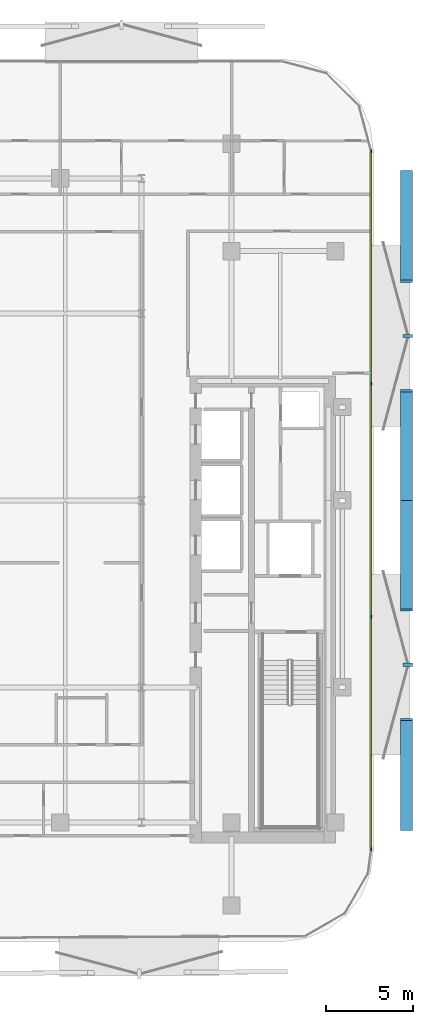
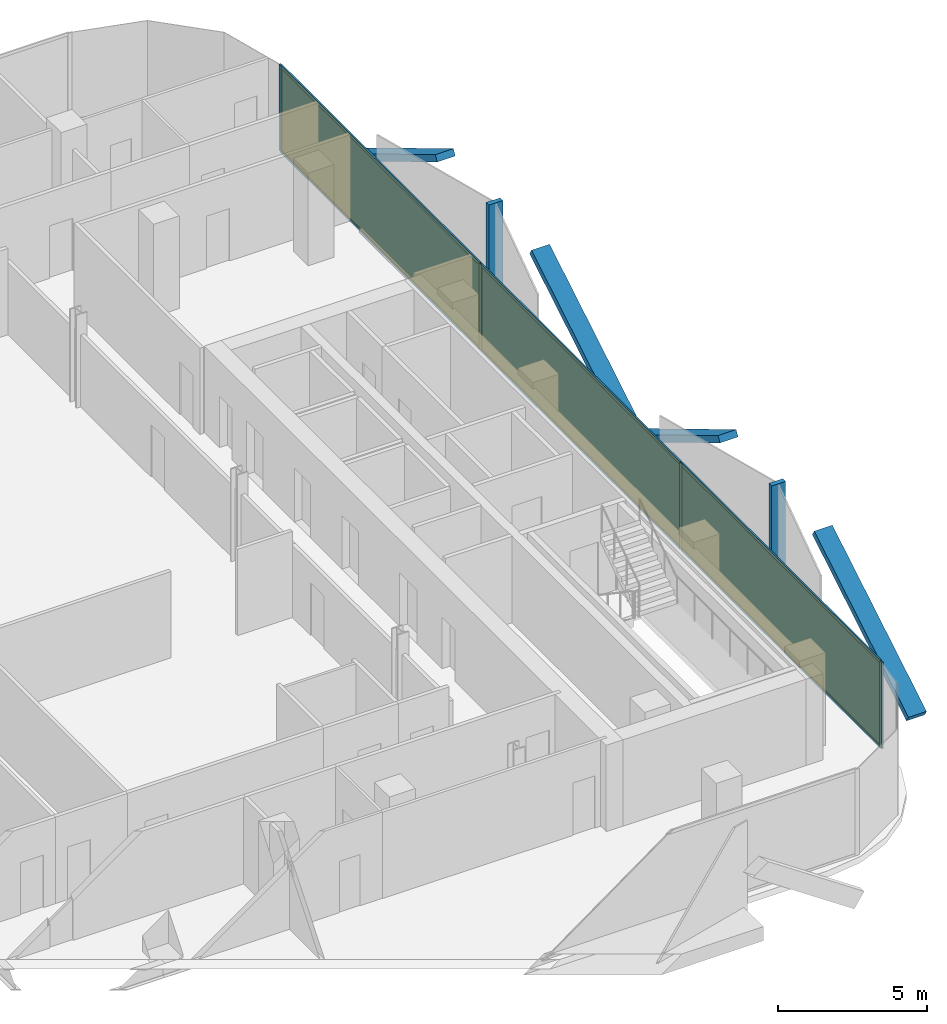
# One storey, part 11 of 17: 16 members, 3 plates, 1 curtain wall.
"""IFC4 building model written with IfcOpenShell, lengths in metres."""

from ifc_helpers import new_model, si_unit, direction, frame, frame_2d, origin, origin_2d, place, context, subcontext, project, spatial, rectangle, extrude, material, layer, layer_set, material_profile, profile_set, type_object, element, aggregate, save


model = new_model("IFC4")

# Units and contexts
model_context = context("Model", 3, precision=1e-05, world=origin(), true_north=direction((0.0, 1.0)))
body_context = subcontext(model_context, "Body", "Model", "MODEL_VIEW")
ifc_project = project(units=[si_unit("LENGTHUNIT", "METRE"), si_unit("AREAUNIT", "SQUARE_METRE"), si_unit("VOLUMEUNIT", "CUBIC_METRE"), si_unit("PLANEANGLEUNIT", "RADIAN"), si_unit("MASSUNIT", "GRAM", prefix="KILO")], contexts=[model_context])

# Member
ifc_material_1 = material(Name="Anodised Bronze Aluminium 6063-T6", Category="aluminium")
ifc_material_profile_1 = material_profile(ifc_material_1, rectangle(XDim=0.260009765625, YDim=0.699951171875, at=origin_2d()))
ifc_profile_set_1 = profile_set([ifc_material_profile_1], Name="Anodised Bronze Aluminium 6063-T6")
member_type_1 = type_object("IfcMemberType", Name="Bronze Diamond Solar-Screen Lattice Rib BDL-700", PredefinedType="MULLION", material=ifc_profile_set_1)
site_placement = place(None, origin())
building_placement = place(site_placement, origin())
storey_placement = place(building_placement, frame((0.0, 0.0, 172.60009765625)))
member_1_placement = place(storey_placement, frame((24.5, 18.99072265625, -0.130126953125), z_axis=(0.0, -0.857382035675, 0.514680527027), x_axis=(0.0, -0.514680527027, -0.857382035675)))
member_1 = element("IfcMember", 1, at=member_1_placement, type_object=member_type_1, Name="L39 Bronze Diamond Solar Screen Lattice Rib 255A", PredefinedType="MULLION", context=body_context, shape_type="SweptSolid", body=[
    extrude(rectangle(XDim=0.260009765625, YDim=0.699951171875, at=origin_2d()), origin(), (0.0, 0.0, 1.0), 7.38330078125),
])

member_2_placement = place(storey_placement, frame((24.5, 0.0, -0.130126953125), z_axis=(0.0, 0.857382035675, 0.514680527027), x_axis=(0.0, 0.514680527027, -0.857382035675)))
member_2 = element("IfcMember", 2, at=member_2_placement, type_object=member_type_1, Name="L39 Bronze Diamond Solar Screen Lattice Rib 255B", PredefinedType="MULLION", context=body_context, shape_type="SweptSolid", body=[
    extrude(rectangle(XDim=0.260009765625, YDim=0.699951171875, at=origin_2d()), origin(), (0.0, 0.0, 1.0), 7.38330078125),
])

member_3_placement = place(storey_placement, frame((24.5, 0.0, -0.130126953125), z_axis=(0.0, -0.857382035675, 0.514680527027), x_axis=(0.0, -0.514680527027, -0.857382035675)))
member_3 = element("IfcMember", 3, at=member_3_placement, type_object=member_type_1, Name="L39 Bronze Diamond Solar Screen Lattice Rib 256A", PredefinedType="MULLION", context=body_context, shape_type="SweptSolid", body=[
    extrude(rectangle(XDim=0.260009765625, YDim=0.699951171875, at=origin_2d()), origin(), (0.0, 0.0, 1.0), 7.38330078125),
])

member_4_placement = place(storey_placement, frame((24.5, -18.99072265625, -0.130126953125), z_axis=(0.0, 0.857382035675, 0.514680527027), x_axis=(0.0, 0.514680527027, -0.857382035675)))
member_4 = element("IfcMember", 4, at=member_4_placement, type_object=member_type_1, Name="L39 Bronze Diamond Solar Screen Lattice Rib 256B", PredefinedType="MULLION", context=body_context, shape_type="SweptSolid", body=[
    extrude(rectangle(XDim=0.260009765625, YDim=0.699951171875, at=origin_2d()), origin(), (0.0, 0.0, 1.0), 7.38330078125),
])

ifc_material_2 = material(Name="Anodised Bronze Aluminium 6063-T6", Category="aluminium")
ifc_material_profile_2 = material_profile(ifc_material_2, rectangle(XDim=0.179931640625, YDim=0.5400390625, at=origin_2d()))
ifc_profile_set_2 = profile_set([ifc_material_profile_2], Name="Anodised Bronze Aluminium 6063-T6")
member_type_2 = type_object("IfcMemberType", Name="Bronze Solar-Screen Vertical Fold Fin BSF-540", PredefinedType="MULLION", material=ifc_profile_set_2)
member_5_placement = place(storey_placement, frame((24.580078125, 9.495361328125, -0.130126953125), z_axis=(0.0, 0.0, 1.0), x_axis=(0.0, -1.0, 0.0)))
member_5 = element("IfcMember", 5, at=member_5_placement, type_object=member_type_2, Name="L39 Bronze Solar Screen Vertical Fin 255", PredefinedType="MULLION", context=body_context, shape_type="SweptSolid", body=[
    extrude(rectangle(XDim=0.179931640625, YDim=0.5400390625, at=origin_2d()), origin(), (0.0, 0.0, 1.0), 3.800048828125),
])

member_6_placement = place(storey_placement, frame((24.580078125, -9.495361328125, -0.130126953125), z_axis=(0.0, 0.0, 1.0), x_axis=(0.0, -1.0, 0.0)))
member_6 = element("IfcMember", 6, at=member_6_placement, type_object=member_type_2, Name="L39 Bronze Solar Screen Vertical Fin 256", PredefinedType="MULLION", context=body_context, shape_type="SweptSolid", body=[
    extrude(rectangle(XDim=0.179931640625, YDim=0.5400390625, at=origin_2d()), origin(), (0.0, 0.0, 1.0), 3.800048828125),
])

ifc_material_3 = material(Name="Anodised Bronze Aluminium 6063-T6", Category="aluminium")
ifc_material_profile_3 = material_profile(ifc_material_3, rectangle(XDim=0.06005859375, YDim=0.1650390625, at=origin_2d()))
ifc_profile_set_3 = profile_set([ifc_material_profile_3], Name="Anodised Bronze Aluminium 6063-T6")
member_type_3 = type_object("IfcMemberType", Name="CW-Z3 Mullion 60x165", PredefinedType="MULLION", material=ifc_profile_set_3)
member_7_placement = place(storey_placement, frame((22.4599609375, 20.160888671875, 0.0), z_axis=(0.0, 0.0, 1.0), x_axis=(1.0, 0.0, 0.0)))
member_7 = element("IfcMember", 7, at=member_7_placement, type_object=member_type_3, Name="CW-Z3 mullion 1", PredefinedType="MULLION", context=body_context, shape_type="SweptSolid", body=[
    extrude(rectangle(XDim=0.06005859375, YDim=0.1650390625, at=origin_2d()), origin(), (0.0, 0.0, 1.0), 3.539794921875),
])

member_8_placement = place(storey_placement, frame((22.4599609375, 6.730224609375, 0.0), z_axis=(0.0, 0.0, 1.0), x_axis=(1.0, 0.0, 0.0)))
member_8 = element("IfcMember", 8, at=member_8_placement, type_object=member_type_3, Name="CW-Z3 mullion 2", PredefinedType="MULLION", context=body_context, shape_type="SweptSolid", body=[
    extrude(rectangle(XDim=0.06005859375, YDim=0.1650390625, at=origin_2d()), origin(), (0.0, 0.0, 1.0), 3.539794921875),
])

member_9_placement = place(storey_placement, frame((22.4599609375, -6.730224609375, 0.0), z_axis=(0.0, 0.0, 1.0), x_axis=(1.0, 0.0, 0.0)))
member_9 = element("IfcMember", 9, at=member_9_placement, type_object=member_type_3, Name="CW-Z3 mullion 3", PredefinedType="MULLION", context=body_context, shape_type="SweptSolid", body=[
    extrude(rectangle(XDim=0.06005859375, YDim=0.1650390625, at=origin_2d()), origin(), (0.0, 0.0, 1.0), 3.539794921875),
])

member_10_placement = place(storey_placement, frame((22.4599609375, -20.160888671875, 0.0), z_axis=(0.0, 0.0, 1.0), x_axis=(1.0, 0.0, 0.0)))
member_10 = element("IfcMember", 10, at=member_10_placement, type_object=member_type_3, Name="CW-Z3 mullion 4", PredefinedType="MULLION", context=body_context, shape_type="SweptSolid", body=[
    extrude(rectangle(XDim=0.06005859375, YDim=0.1650390625, at=origin_2d()), origin(), (0.0, 0.0, 1.0), 3.539794921875),
])

ifc_material_4 = material(Name="Anodised Bronze Aluminium 6063-T6", Category="aluminium")
ifc_material_profile_4 = material_profile(ifc_material_4, rectangle(XDim=0.06005859375, YDim=0.1298828125, at=origin_2d()))
ifc_profile_set_4 = profile_set([ifc_material_profile_4], Name="Anodised Bronze Aluminium 6063-T6")
member_type_4 = type_object("IfcMemberType", Name="CW-Z3 Transom 60x130", PredefinedType="USERDEFINED", material=ifc_profile_set_4)
member_11_placement = place(storey_placement, frame((22.4599609375, 20.130859375, 0.02978515625), z_axis=(0.0, -1.0, 0.0), x_axis=(1.0, 0.0, 0.0)))
member_11 = element("IfcMember", 11, at=member_11_placement, type_object=member_type_4, Name="CW-Z3 transom 1.1", ObjectType="TRANSOM", PredefinedType="USERDEFINED", context=body_context, shape_type="SweptSolid", body=[
    extrude(rectangle(XDim=0.06005859375, YDim=0.1298828125, at=origin_2d()), origin(), (0.0, 0.0, 1.0), 13.37060546875),
])

member_12_placement = place(storey_placement, frame((22.4599609375, 20.130859375, 3.510009765625), z_axis=(0.0, -1.0, 0.0), x_axis=(1.0, 0.0, 0.0)))
member_12 = element("IfcMember", 12, at=member_12_placement, type_object=member_type_4, Name="CW-Z3 transom 1.2", ObjectType="TRANSOM", PredefinedType="USERDEFINED", context=body_context, shape_type="SweptSolid", body=[
    extrude(rectangle(XDim=0.06005859375, YDim=0.1298828125, at=origin_2d()), origin(), (0.0, 0.0, 1.0), 13.37060546875),
])

member_13_placement = place(storey_placement, frame((22.4599609375, 6.7001953125, 0.02978515625), z_axis=(0.0, -1.0, 0.0), x_axis=(1.0, 0.0, 0.0)))
member_13 = element("IfcMember", 13, at=member_13_placement, type_object=member_type_4, Name="CW-Z3 transom 2.1", ObjectType="TRANSOM", PredefinedType="USERDEFINED", context=body_context, shape_type="SweptSolid", body=[
    extrude(rectangle(XDim=0.06005859375, YDim=0.1298828125, at=origin_2d()), origin(), (0.0, 0.0, 1.0), 13.400390625),
])

member_14_placement = place(storey_placement, frame((22.4599609375, 6.7001953125, 3.510009765625), z_axis=(0.0, -1.0, 0.0), x_axis=(1.0, 0.0, 0.0)))
member_14 = element("IfcMember", 14, at=member_14_placement, type_object=member_type_4, Name="CW-Z3 transom 2.2", ObjectType="TRANSOM", PredefinedType="USERDEFINED", context=body_context, shape_type="SweptSolid", body=[
    extrude(rectangle(XDim=0.06005859375, YDim=0.1298828125, at=origin_2d()), origin(), (0.0, 0.0, 1.0), 13.400390625),
])

member_15_placement = place(storey_placement, frame((22.4599609375, -6.76025390625, 0.02978515625), z_axis=(0.0, -1.0, 0.0), x_axis=(1.0, 0.0, 0.0)))
member_15 = element("IfcMember", 15, at=member_15_placement, type_object=member_type_4, Name="CW-Z3 transom 3.1", ObjectType="TRANSOM", PredefinedType="USERDEFINED", context=body_context, shape_type="SweptSolid", body=[
    extrude(rectangle(XDim=0.06005859375, YDim=0.1298828125, at=origin_2d()), origin(), (0.0, 0.0, 1.0), 13.37060546875),
])

member_16_placement = place(storey_placement, frame((22.4599609375, -6.76025390625, 3.510009765625), z_axis=(0.0, -1.0, 0.0), x_axis=(1.0, 0.0, 0.0)))
member_16 = element("IfcMember", 16, at=member_16_placement, type_object=member_type_4, Name="CW-Z3 transom 3.2", ObjectType="TRANSOM", PredefinedType="USERDEFINED", context=body_context, shape_type="SweptSolid", body=[
    extrude(rectangle(XDim=0.06005859375, YDim=0.1298828125, at=origin_2d()), origin(), (0.0, 0.0, 1.0), 13.37060546875),
])

# Plate
ifc_material_5 = material(Name="Low-E Solar Control Laminated Glass", Category="glass")
ifc_layer_1 = layer(ifc_material_5, 0.030029296875, Name="Low-E Solar Control Laminated Glass")
ifc_layer_set_1 = layer_set([ifc_layer_1], Name="Low-E Solar Control Laminated Glass")
plate_type = type_object("IfcPlateType", Name="CW-Z3 Low-E Double Glazed Panel 30mm", PredefinedType="CURTAIN_PANEL", material=ifc_layer_set_1)
plate_1_placement = place(storey_placement, frame((22.4599609375, 13.445556640625, 0.06005859375), z_axis=(0.0, 0.0, 1.0), x_axis=(0.0, -1.0, 0.0)))
plate_1 = element("IfcPlate", 17, at=plate_1_placement, type_object=plate_type, Name="CW-Z3 panel 1.1", PredefinedType="CURTAIN_PANEL", context=body_context, shape_type="SweptSolid", body=[
    extrude(rectangle(XDim=13.37060546875, YDim=0.030029296875, at=origin_2d()), origin(), (0.0, 0.0, 1.0), 3.419921875),
])

plate_2_placement = place(storey_placement, frame((22.4599609375, 0.0, 0.06005859375), z_axis=(0.0, 0.0, 1.0), x_axis=(0.0, -1.0, 0.0)))
plate_2 = element("IfcPlate", 18, at=plate_2_placement, type_object=plate_type, Name="CW-Z3 panel 2.1", PredefinedType="CURTAIN_PANEL", context=body_context, shape_type="SweptSolid", body=[
    extrude(rectangle(XDim=13.400634765625, YDim=0.030029296875, at=origin_2d()), origin(), (0.0, 0.0, 1.0), 3.419921875),
])

plate_3_placement = place(storey_placement, frame((22.4599609375, -13.445556640625, 0.06005859375), z_axis=(0.0, 0.0, 1.0), x_axis=(0.0, -1.0, 0.0)))
plate_3 = element("IfcPlate", 19, at=plate_3_placement, type_object=plate_type, Name="CW-Z3 panel 3.1", PredefinedType="CURTAIN_PANEL", context=body_context, shape_type="SweptSolid", body=[
    extrude(rectangle(XDim=13.37060546875, YDim=0.030029296875, at=origin_2d()), origin(), (0.0, 0.0, 1.0), 3.419921875),
])

# Site, building, storey
site = spatial("IfcSite", under=ifc_project, at=site_placement, CompositionType="ELEMENT")
building = spatial("IfcBuilding", under=site, at=building_placement, Name="Khairoan Windgate Tower", CompositionType="ELEMENT")
storey = spatial("IfcBuildingStorey", under=building, at=storey_placement, Name="L39", CompositionType="ELEMENT", Elevation=172.60009765625)

# Curtain wall
ifc_material_6 = material(Name="Anodised Bronze Aluminium 6063-T6", Category="aluminium")
ifc_layer_2 = layer(ifc_material_6, 0.1650390625, Name="Anodised Bronze Aluminium 6063-T6")
ifc_layer_set_2 = layer_set([ifc_layer_2], Name="Anodised Bronze Aluminium 6063-T6")
curtain_wall_type = type_object("IfcCurtainWallType", Name="Luxury Hotel Acoustic Curtain Wall CW-Z3", PredefinedType="NOTDEFINED", material=ifc_layer_set_2)
curtain_wall_placement = place(storey_placement, frame((22.4599609375, 20.19091796875, 0.0), z_axis=(0.0, 0.0, 1.0), x_axis=(0.0, -1.0, 0.0)))
curtain_wall = element("IfcCurtainWall", 20, at=curtain_wall_placement, inside=storey, type_object=curtain_wall_type, Name="L39 Unitised Curtain Wall 13", PredefinedType="NOTDEFINED", context=body_context, shape_type="SweptSolid", body=[
    extrude(rectangle(XDim=40.3818359375, YDim=0.010009765625, at=frame_2d((20.19091796875, 0.0))), origin(), (0.0, 0.0, 1.0), 3.539794921875),
])

aggregate(curtain_wall, [member_7, member_8, member_9, member_10, member_11, member_12, plate_1, member_13, member_14, plate_2, member_15, member_16, plate_3, member_1, member_2, member_5, member_3, member_4, member_6])

save(model, "model.ifc")
